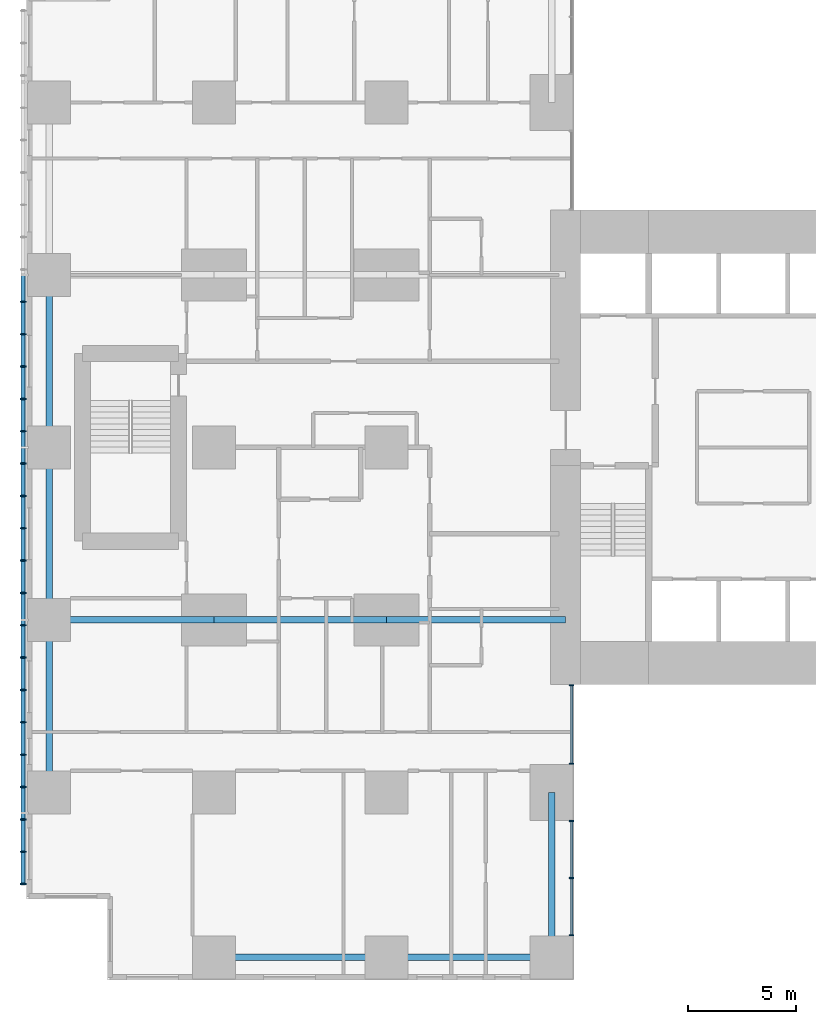
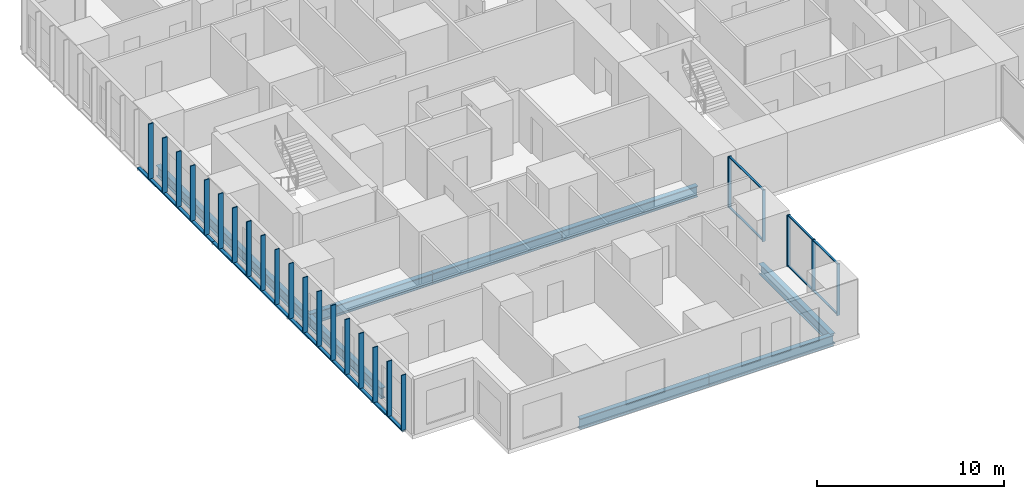
# One storey, part 2 of 20: 33 members, 9 beams, 2 elements without a shape of their own.
"""IFC4 building model written with IfcOpenShell, lengths in metres."""

from ifc_helpers import new_model, si_unit, direction, frame, origin, origin_2d, place, context, subcontext, project, spatial, rectangle, hollow_rectangle, i_section, extrude, material, layer, layer_set, material_profile, profile_set, type_object, element, aggregate, save


model = new_model("IFC4")

# Units and contexts
model_context = context("Model", 3, precision=1e-05, world=origin(), true_north=direction((0.0, 1.0)))
body_context = subcontext(model_context, "Body", "Model", "MODEL_VIEW")
ifc_project = project(units=[si_unit("LENGTHUNIT", "METRE"), si_unit("AREAUNIT", "SQUARE_METRE"), si_unit("VOLUMEUNIT", "CUBIC_METRE"), si_unit("PLANEANGLEUNIT", "RADIAN"), si_unit("MASSUNIT", "GRAM", prefix="KILO")], contexts=[model_context])

# Site, building, storey
site_placement = place(None, origin())
site = spatial("IfcSite", under=ifc_project, at=site_placement, CompositionType="ELEMENT")
building_placement = place(site_placement, origin())
building = spatial("IfcBuilding", under=site, at=building_placement, Name="Cleftline Residences", CompositionType="ELEMENT")
storey_placement = place(building_placement, frame((0.0, 0.0, 99.800048828125)))
storey = spatial("IfcBuildingStorey", under=building, at=storey_placement, Name="L25", CompositionType="ELEMENT", Elevation=99.800048828125)

# Members
ifc_material_1 = material(Name="Steel S355, hot-dip galvanised", Category="steel")
ifc_material_profile_1 = material_profile(ifc_material_1, hollow_rectangle(XDim=0.10009765625, YDim=0.199951171875, WallThickness=0.008056640625, InnerFilletRadius=0.008056640625, OuterFilletRadius=0.011962890625, at=origin_2d()))
ifc_profile_set_1 = profile_set([ifc_material_profile_1], Name="Steel S355, hot-dip galvanised")
member_type_1 = type_object("IfcMemberType", Name="BAGUETTE CARRIER RHS 200X100X8", PredefinedType="USERDEFINED", material=ifc_profile_set_1)
for number, where, z_axis, x_axis, name in (
    (1, (-0.85009765625, 32.0, -0.050048828125), (0.0, -1.0, 0.0), (0.0, 0.0, 1.0), "Baguette carrier"),
    (2, (-0.85009765625, 24.0, -0.050048828125), (0.0, -1.0, 0.0), (0.0, 0.0, 1.0), "Baguette carrier"),
):
    element("IfcMember", number, at=place(storey_placement, frame(where, z_axis=z_axis, x_axis=x_axis)), inside=storey, type_object=member_type_1, Name=name, ObjectType="BAGUETTE CARRIER", PredefinedType="USERDEFINED", context=body_context, shape_type="SweptSolid", body=[
        extrude(hollow_rectangle(XDim=0.10009765625, YDim=0.199951171875, WallThickness=0.008056640625, InnerFilletRadius=0.008056640625, OuterFilletRadius=0.011962890625, at=origin_2d()), origin(), (0.0, 0.0, 1.0), 8.0),
    ])
member_1_placement = place(storey_placement, frame((-0.85009765625, 16.0, -0.050048828125), z_axis=(0.0, -1.0, 0.0), x_axis=(0.0, 0.0, 1.0)))
element("IfcMember", 3, at=member_1_placement, inside=storey, type_object=member_type_1, Name="Baguette carrier", ObjectType="BAGUETTE CARRIER", PredefinedType="USERDEFINED", context=body_context, shape_type="SweptSolid", body=[
    extrude(hollow_rectangle(XDim=0.10009765625, YDim=0.199951171875, WallThickness=0.008056640625, InnerFilletRadius=0.008056640625, OuterFilletRadius=0.011962890625, at=origin_2d()), origin(), (0.0, 0.0, 1.0), 12.300048828125),
])

# Beams
ifc_material_2 = material(Name="Steel S355", Category="steel")
ifc_material_profile_2 = material_profile(ifc_material_2, i_section(OverallWidth=0.300048828125, OverallDepth=0.699951171875, WebThickness=0.01708984375, FlangeThickness=0.031982421875, FilletRadius=0.027099609375, at=origin_2d()))
ifc_profile_set_2 = profile_set([ifc_material_profile_2], Name="Steel S355")
beam_type_1 = type_object("IfcBeamType", Name="BEAM HEB 700", PredefinedType="BEAM", material=ifc_profile_set_2)
for number, where, z_axis, x_axis, name in (
    (4, (0.35009765625, 8.0, -0.60009765625), (0.0, 1.0, 0.0), (-1.0, 0.0, 0.0), "Edge beam"),
    (5, (0.35009765625, 16.0, -0.60009765625), (0.0, 1.0, 0.0), (-1.0, 0.0, 0.0), "Edge beam"),
    (6, (0.35009765625, 24.0, -0.60009765625), (0.0, 1.0, 0.0), (-1.0, 0.0, 0.0), "Edge beam"),
    (7, (8.0, 0.35009765625, -0.60009765625), (1.0, 0.0, 0.0), (0.0, 1.0, 0.0), "Edge beam"),
):
    element("IfcBeam", number, at=place(storey_placement, frame(where, z_axis=z_axis, x_axis=x_axis)), inside=storey, type_object=beam_type_1, Name=name, PredefinedType="BEAM", context=body_context, shape_type="SweptSolid", body=[
        extrude(i_section(OverallWidth=0.300048828125, OverallDepth=0.699951171875, WebThickness=0.01708984375, FlangeThickness=0.031982421875, FilletRadius=0.027099609375, at=origin_2d()), origin(), (0.0, 0.0, 1.0), 8.0),
    ])
for number, where, z_axis, x_axis, name in (
    (8, (16.0, 0.35009765625, -0.60009765625), (1.0, 0.0, 0.0), (0.0, 1.0, 0.0), "Edge beam"),
    (9, (23.64990234375, 0.35009765625, -0.60009765625), (0.0, 1.0, 0.0), (-1.0, 0.0, 0.0), "Edge beam"),
):
    element("IfcBeam", number, at=place(storey_placement, frame(where, z_axis=z_axis, x_axis=x_axis)), inside=storey, type_object=beam_type_1, Name=name, PredefinedType="BEAM", context=body_context, shape_type="SweptSolid", body=[
        extrude(i_section(OverallWidth=0.300048828125, OverallDepth=0.699951171875, WebThickness=0.01708984375, FlangeThickness=0.031982421875, FilletRadius=0.027099609375, at=origin_2d()), origin(), (0.0, 0.0, 1.0), 7.64990234375),
    ])
ifc_material_3 = material(Name="Steel S355", Category="steel")
ifc_material_profile_3 = material_profile(ifc_material_3, i_section(OverallWidth=0.303955078125, OverallDepth=0.716064453125, WebThickness=0.02099609375, FlangeThickness=0.0400390625, FilletRadius=0.027099609375, at=origin_2d()))
ifc_profile_set_3 = profile_set([ifc_material_profile_3], Name="Steel S355")
beam_type_2 = type_object("IfcBeamType", Name="BEAM HEM 700", PredefinedType="BEAM", material=ifc_profile_set_3)
beam_1_placement = place(storey_placement, frame((0.35009765625, 16.0, -0.608154296875), z_axis=(1.0, 0.0, 0.0), x_axis=(0.0, 1.0, 0.0)))
element("IfcBeam", 10, at=beam_1_placement, inside=storey, type_object=beam_type_2, Name="Band beam", PredefinedType="BEAM", context=body_context, shape_type="SweptSolid", body=[
    extrude(i_section(OverallWidth=0.303955078125, OverallDepth=0.716064453125, WebThickness=0.02099609375, FlangeThickness=0.0400390625, FilletRadius=0.027099609375, at=origin_2d()), origin(), (0.0, 0.0, 1.0), 7.64990234375),
])
beam_2_placement = place(storey_placement, frame((8.0, 16.0, -0.608154296875), z_axis=(1.0, 0.0, 0.0), x_axis=(0.0, 1.0, 0.0)))
element("IfcBeam", 11, at=beam_2_placement, inside=storey, type_object=beam_type_2, Name="Band beam", PredefinedType="BEAM", context=body_context, shape_type="SweptSolid", body=[
    extrude(i_section(OverallWidth=0.303955078125, OverallDepth=0.716064453125, WebThickness=0.02099609375, FlangeThickness=0.0400390625, FilletRadius=0.027099609375, at=origin_2d()), origin(), (0.0, 0.0, 1.0), 8.0),
])
beam_3_placement = place(storey_placement, frame((16.0, 16.0, -0.608154296875), z_axis=(1.0, 0.0, 0.0), x_axis=(0.0, 1.0, 0.0)))
element("IfcBeam", 12, at=beam_3_placement, inside=storey, type_object=beam_type_2, Name="Band beam", PredefinedType="BEAM", context=body_context, shape_type="SweptSolid", body=[
    extrude(i_section(OverallWidth=0.303955078125, OverallDepth=0.716064453125, WebThickness=0.02099609375, FlangeThickness=0.0400390625, FilletRadius=0.027099609375, at=origin_2d()), origin(), (0.0, 0.0, 1.0), 8.300048828125),
])

# Curtain wall, members
ifc_material_4 = material(Name="Aluminium framed curtain wall", Category="aluminium")
ifc_layer = layer(ifc_material_4, 0.199951171875)
ifc_layer_set = layer_set([ifc_layer], Name="CW1 CLEFT GLAZING")
curtain_wall_type = type_object("IfcCurtainWallType", Name="CW1 CLEFT GLAZING", PredefinedType="NOTDEFINED", material=ifc_layer_set)
curtain_wall_1_placement = place(storey_placement, origin())
curtain_wall_1 = element("IfcCurtainWall", 13, at=curtain_wall_1_placement, inside=storey, type_object=curtain_wall_type, Name="Curtain wall CW1", PredefinedType="NOTDEFINED")
ifc_material_5 = material(Name="Aluminium mullion", Category="aluminium")
ifc_material_profile_4 = material_profile(ifc_material_5, rectangle(XDim=0.199951171875, YDim=0.06005859375, at=origin_2d()))
ifc_profile_set_4 = profile_set([ifc_material_profile_4], Name="Aluminium mullion")
member_type_2 = type_object("IfcMemberType", Name="CW1 MULLION", PredefinedType="MULLION", material=ifc_profile_set_4)
member_2_placement = place(storey_placement, frame((24.574951171875, 1.3798828125, 0.0), z_axis=(0.0, 0.0, 1.0), x_axis=(-1.0, 0.0, 0.0)))
member_2 = element("IfcMember", 14, at=member_2_placement, type_object=member_type_2, Name="CW1 mullion 1", PredefinedType="MULLION", context=body_context, shape_type="SweptSolid", body=[
    extrude(rectangle(XDim=0.199951171875, YDim=0.06005859375, at=origin_2d()), origin(), (0.0, 0.0, 1.0), 3.349853515625),
])
member_3_placement = place(storey_placement, frame((24.574951171875, 4.02490234375, 0.0), z_axis=(0.0, 0.0, 1.0), x_axis=(-1.0, 0.0, 0.0)))
member_3 = element("IfcMember", 15, at=member_3_placement, type_object=member_type_2, Name="CW1 mullion 2", PredefinedType="MULLION", context=body_context, shape_type="SweptSolid", body=[
    extrude(rectangle(XDim=0.199951171875, YDim=0.06005859375, at=origin_2d()), origin(), (0.0, 0.0, 1.0), 3.349853515625),
])
member_4_placement = place(storey_placement, frame((24.574951171875, 6.669921875, 0.0), z_axis=(0.0, 0.0, 1.0), x_axis=(-1.0, 0.0, 0.0)))
member_4 = element("IfcMember", 16, at=member_4_placement, type_object=member_type_2, Name="CW1 mullion 3", PredefinedType="MULLION", context=body_context, shape_type="SweptSolid", body=[
    extrude(rectangle(XDim=0.199951171875, YDim=0.06005859375, at=origin_2d()), origin(), (0.0, 0.0, 1.0), 3.349853515625),
])

curtain_wall_2_placement = place(storey_placement, origin())
curtain_wall_2 = element("IfcCurtainWall", 17, at=curtain_wall_2_placement, inside=storey, type_object=curtain_wall_type, Name="Curtain wall CW1", PredefinedType="NOTDEFINED")
member_5_placement = place(storey_placement, frame((24.574951171875, 9.330078125, 0.0), z_axis=(0.0, 0.0, 1.0), x_axis=(-1.0, 0.0, 0.0)))
member_5 = element("IfcMember", 18, at=member_5_placement, type_object=member_type_2, Name="CW1 mullion 1", PredefinedType="MULLION", context=body_context, shape_type="SweptSolid", body=[
    extrude(rectangle(XDim=0.199951171875, YDim=0.06005859375, at=origin_2d()), origin(), (0.0, 0.0, 1.0), 3.349853515625),
])
member_6_placement = place(storey_placement, frame((24.574951171875, 12.969970703125, 0.0), z_axis=(0.0, 0.0, 1.0), x_axis=(-1.0, 0.0, 0.0)))
member_6 = element("IfcMember", 19, at=member_6_placement, type_object=member_type_2, Name="CW1 mullion 2", PredefinedType="MULLION", context=body_context, shape_type="SweptSolid", body=[
    extrude(rectangle(XDim=0.199951171875, YDim=0.06005859375, at=origin_2d()), origin(), (0.0, 0.0, 1.0), 3.349853515625),
])

# Member
ifc_material_6 = material(Name="Aluminium transom", Category="aluminium")
ifc_material_profile_5 = material_profile(ifc_material_6, rectangle(XDim=0.1201171875, YDim=0.06005859375, at=origin_2d()))
ifc_profile_set_5 = profile_set([ifc_material_profile_5], Name="Aluminium transom")
member_type_3 = type_object("IfcMemberType", Name="CW1 TRANSOM", PredefinedType="USERDEFINED", material=ifc_profile_set_5)
member_7_placement = place(storey_placement, frame((24.574951171875, 1.409912109375, 0.030029296875), z_axis=(0.0, 1.0, 0.0), x_axis=(-1.0, 0.0, 0.0)))
member_7 = element("IfcMember", 20, at=member_7_placement, type_object=member_type_3, Name="CW1 transom 1.1", ObjectType="TRANSOM", PredefinedType="USERDEFINED", context=body_context, shape_type="SweptSolid", body=[
    extrude(rectangle(XDim=0.1201171875, YDim=0.06005859375, at=origin_2d()), origin(), (0.0, 0.0, 1.0), 2.585205078125),
])

member_8_placement = place(storey_placement, frame((24.574951171875, 1.409912109375, 3.320068359375), z_axis=(0.0, 1.0, 0.0), x_axis=(-1.0, 0.0, 0.0)))
member_8 = element("IfcMember", 21, at=member_8_placement, type_object=member_type_3, Name="CW1 transom 1.2", ObjectType="TRANSOM", PredefinedType="USERDEFINED", context=body_context, shape_type="SweptSolid", body=[
    extrude(rectangle(XDim=0.1201171875, YDim=0.06005859375, at=origin_2d()), origin(), (0.0, 0.0, 1.0), 2.585205078125),
])

member_9_placement = place(storey_placement, frame((24.574951171875, 4.054931640625, 0.030029296875), z_axis=(0.0, 1.0, 0.0), x_axis=(-1.0, 0.0, 0.0)))
member_9 = element("IfcMember", 22, at=member_9_placement, type_object=member_type_3, Name="CW1 transom 2.1", ObjectType="TRANSOM", PredefinedType="USERDEFINED", context=body_context, shape_type="SweptSolid", body=[
    extrude(rectangle(XDim=0.1201171875, YDim=0.06005859375, at=origin_2d()), origin(), (0.0, 0.0, 1.0), 2.5849609375),
])

member_10_placement = place(storey_placement, frame((24.574951171875, 4.054931640625, 3.320068359375), z_axis=(0.0, 1.0, 0.0), x_axis=(-1.0, 0.0, 0.0)))
member_10 = element("IfcMember", 23, at=member_10_placement, type_object=member_type_3, Name="CW1 transom 2.2", ObjectType="TRANSOM", PredefinedType="USERDEFINED", context=body_context, shape_type="SweptSolid", body=[
    extrude(rectangle(XDim=0.1201171875, YDim=0.06005859375, at=origin_2d()), origin(), (0.0, 0.0, 1.0), 2.5849609375),
])

aggregate(curtain_wall_1, [member_2, member_3, member_4, member_7, member_8, member_9, member_10])

member_11_placement = place(storey_placement, frame((24.574951171875, 9.360107421875, 0.030029296875), z_axis=(0.0, 1.0, 0.0), x_axis=(-1.0, 0.0, 0.0)))
member_11 = element("IfcMember", 24, at=member_11_placement, type_object=member_type_3, Name="CW1 transom 1.1", ObjectType="TRANSOM", PredefinedType="USERDEFINED", context=body_context, shape_type="SweptSolid", body=[
    extrude(rectangle(XDim=0.1201171875, YDim=0.06005859375, at=origin_2d()), origin(), (0.0, 0.0, 1.0), 3.579833984375),
])

member_12_placement = place(storey_placement, frame((24.574951171875, 9.360107421875, 3.320068359375), z_axis=(0.0, 1.0, 0.0), x_axis=(-1.0, 0.0, 0.0)))
member_12 = element("IfcMember", 25, at=member_12_placement, type_object=member_type_3, Name="CW1 transom 1.2", ObjectType="TRANSOM", PredefinedType="USERDEFINED", context=body_context, shape_type="SweptSolid", body=[
    extrude(rectangle(XDim=0.1201171875, YDim=0.06005859375, at=origin_2d()), origin(), (0.0, 0.0, 1.0), 3.579833984375),
])

aggregate(curtain_wall_2, [member_5, member_6, member_11, member_12])

# Members
ifc_material_7 = material(Name="Extruded terracotta", Category="masonry")
ifc_material_profile_6 = material_profile(ifc_material_7, rectangle(XDim=0.06005859375, YDim=0.300048828125, at=origin_2d()))
ifc_profile_set_6 = profile_set([ifc_material_profile_6], Name="Extruded terracotta")
member_type_4 = type_object("IfcMemberType", Name="TERRACOTTA BAGUETTE 60X300", PredefinedType="USERDEFINED", material=ifc_profile_set_6)
for number, where, z_axis, x_axis, name in (
    (26, (-0.85009765625, 30.75, 0.0), (0.0, 0.0, 1.0), (0.0, 1.0, 0.0), "Terracotta baguette"),
    (27, (-0.85009765625, 29.25, 0.0), (0.0, 0.0, 1.0), (0.0, 1.0, 0.0), "Terracotta baguette"),
    (28, (-0.85009765625, 27.75, 0.0), (0.0, 0.0, 1.0), (0.0, 1.0, 0.0), "Terracotta baguette"),
    (29, (-0.85009765625, 26.25, 0.0), (0.0, 0.0, 1.0), (0.0, 1.0, 0.0), "Terracotta baguette"),
    (30, (-0.85009765625, 24.75, 0.0), (0.0, 0.0, 1.0), (0.0, 1.0, 0.0), "Terracotta baguette"),
    (31, (-0.85009765625, 23.25, 0.0), (0.0, 0.0, 1.0), (0.0, 1.0, 0.0), "Terracotta baguette"),
    (32, (-0.85009765625, 21.75, 0.0), (0.0, 0.0, 1.0), (0.0, 1.0, 0.0), "Terracotta baguette"),
    (33, (-0.85009765625, 20.25, 0.0), (0.0, 0.0, 1.0), (0.0, 1.0, 0.0), "Terracotta baguette"),
    (34, (-0.85009765625, 18.75, 0.0), (0.0, 0.0, 1.0), (0.0, 1.0, 0.0), "Terracotta baguette"),
    (35, (-0.85009765625, 17.25, 0.0), (0.0, 0.0, 1.0), (0.0, 1.0, 0.0), "Terracotta baguette"),
    (36, (-0.85009765625, 15.75, 0.0), (0.0, 0.0, 1.0), (0.0, 1.0, 0.0), "Terracotta baguette"),
    (37, (-0.85009765625, 14.25, 0.0), (0.0, 0.0, 1.0), (0.0, 1.0, 0.0), "Terracotta baguette"),
    (38, (-0.85009765625, 12.75, 0.0), (0.0, 0.0, 1.0), (0.0, 1.0, 0.0), "Terracotta baguette"),
    (39, (-0.85009765625, 11.25, 0.0), (0.0, 0.0, 1.0), (0.0, 1.0, 0.0), "Terracotta baguette"),
    (40, (-0.85009765625, 9.75, 0.0), (0.0, 0.0, 1.0), (0.0, 1.0, 0.0), "Terracotta baguette"),
    (41, (-0.85009765625, 8.25, 0.0), (0.0, 0.0, 1.0), (0.0, 1.0, 0.0), "Terracotta baguette"),
    (42, (-0.85009765625, 6.75, 0.0), (0.0, 0.0, 1.0), (0.0, 1.0, 0.0), "Terracotta baguette"),
    (43, (-0.85009765625, 5.25, 0.0), (0.0, 0.0, 1.0), (0.0, 1.0, 0.0), "Terracotta baguette"),
    (44, (-0.85009765625, 3.75, 0.0), (0.0, 0.0, 1.0), (0.0, 1.0, 0.0), "Terracotta baguette"),
):
    element("IfcMember", number, at=place(storey_placement, frame(where, z_axis=z_axis, x_axis=x_axis)), inside=storey, type_object=member_type_4, Name=name, ObjectType="BAGUETTE", PredefinedType="USERDEFINED", context=body_context, shape_type="SweptSolid", body=[
        extrude(rectangle(XDim=0.06005859375, YDim=0.300048828125, at=origin_2d()), origin(), (0.0, 0.0, 1.0), 3.599853515625),
    ])

save(model, "model.ifc")
